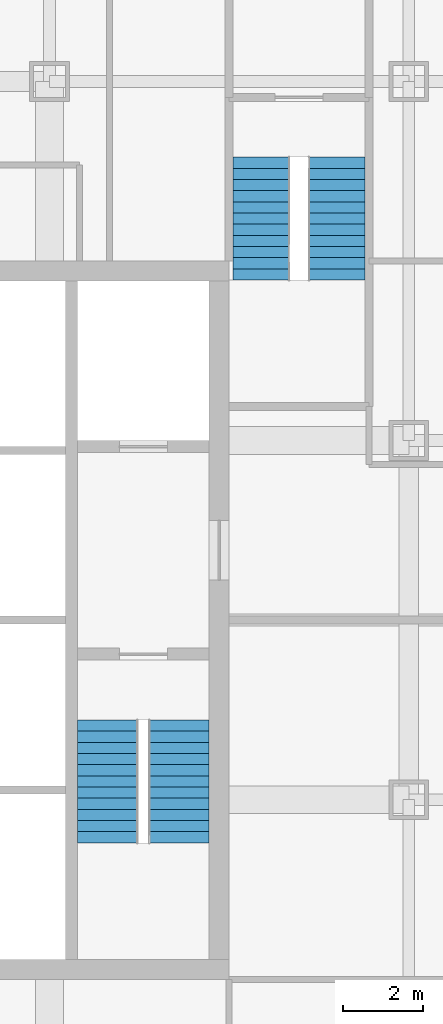
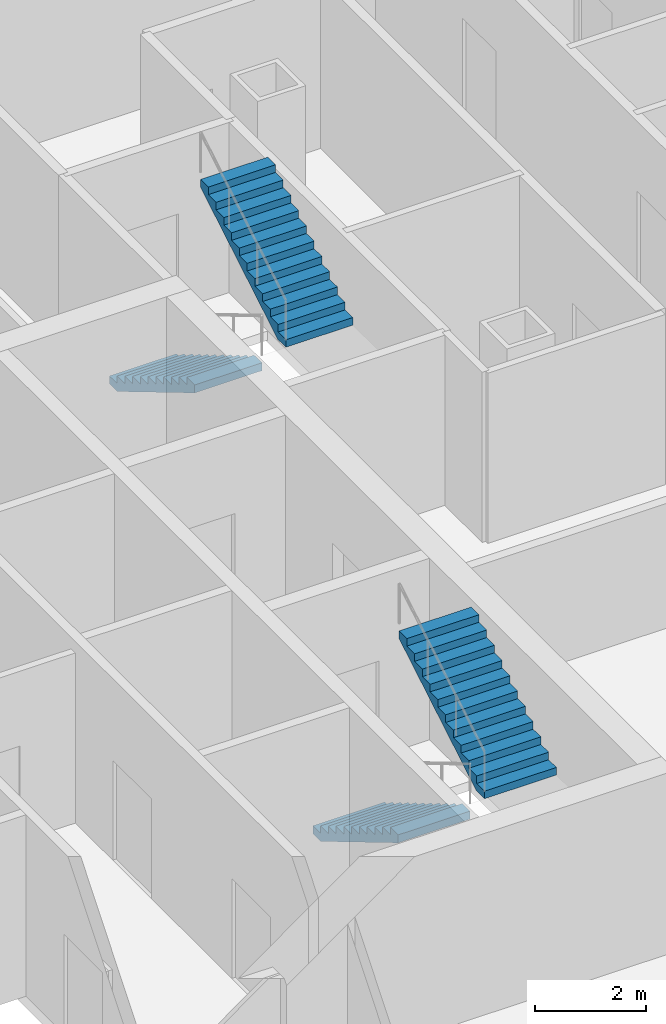
# One storey, part 12 of 17: 4 stair flights, 2 elements without a shape of their own.
"""IFC4 building model written with IfcOpenShell, lengths in metres."""

from ifc_helpers import new_model, si_unit, direction, frame, origin, place, context, subcontext, project, spatial, polyline, outline, extrude, material, type_object, element, aggregate, save


model = new_model("IFC4")

# Units and contexts
model_context = context("Model", 3, precision=1e-05, world=origin(), true_north=direction((0.0, 1.0)))
body_context = subcontext(model_context, "Body", "Model", "MODEL_VIEW")
ifc_project = project(units=[si_unit("LENGTHUNIT", "METRE"), si_unit("AREAUNIT", "SQUARE_METRE"), si_unit("VOLUMEUNIT", "CUBIC_METRE"), si_unit("PLANEANGLEUNIT", "RADIAN"), si_unit("MASSUNIT", "GRAM", prefix="KILO")], contexts=[model_context])

# Site, building, storey
site_placement = place(None, origin())
site = spatial("IfcSite", under=ifc_project, at=site_placement, CompositionType="ELEMENT")
building_placement = place(site_placement, origin())
building = spatial("IfcBuilding", under=site, at=building_placement, Name="Malebo Sky Hospital", CompositionType="ELEMENT")
storey_placement = place(building_placement, frame((0.0, 0.0, 55.0)))
storey = spatial("IfcBuildingStorey", under=building, at=storey_placement, Name="L12", CompositionType="ELEMENT", Elevation=55.0)

# Stair, stair flights
ifc_material = material(Name="Concrete C40/50", Category="concrete")
stair_type_1 = type_object("IfcStairType", Name="HALF-TURN STAIR 1400 R167", PredefinedType="HALF_TURN_STAIR", material=ifc_material)
stair_1_placement = place(storey_placement, origin())
stair_1 = element("IfcStair", 1, at=stair_1_placement, inside=storey, type_object=stair_type_1, Name="Stair S3 L12 type ST1B", PredefinedType="HALF_TURN_STAIR")
stair_flight_type_1 = type_object("IfcStairFlightType", Name="STAIR FLIGHT 1400 R167", PredefinedType="STRAIGHT", material=ifc_material)
stair_flight_1_placement = place(storey_placement, frame((69.800048828125, 73.60009765625, 0.0), z_axis=(0.0, 0.0, 1.0), x_axis=(0.0, -1.0, 0.0)))
stair_flight_1 = element("IfcStairFlight", 2, at=stair_flight_1_placement, type_object=stair_flight_type_1, Name="S3 flight 1 type SF1B", NumberOfRisers=12, NumberOfTreads=11, PredefinedType="STRAIGHT", RiserHeight=0.166666667, TreadLength=0.28, context=body_context, shape_type="SweptSolid", body=[
    extrude(outline(polyline([(0.0, 0.0), (0.0, 0.166748046875), (0.280029296875, 0.166748046875), (0.280029296875, 0.333251953125), (0.56005859375, 0.333251953125), (0.56005859375, 0.5), (0.840087890625, 0.5), (0.840087890625, 0.666748046875), (1.1201171875, 0.666748046875), (1.1201171875, 0.833251953125), (1.39990234375, 0.833251953125), (1.39990234375, 1.0), (1.679931640625, 1.0), (1.679931640625, 1.166748046875), (1.9599609375, 1.166748046875), (1.9599609375, 1.333251953125), (2.239990234375, 1.333251953125), (2.239990234375, 1.5), (2.52001953125, 1.5), (2.52001953125, 1.666748046875), (2.800048828125, 1.666748046875), (2.800048828125, 1.833251953125), (3.080078125, 1.833251953125), (3.080078125, 2.0), (3.080078125, 1.658935546875), (0.29296875, 0.0), (0.0, 0.0)])), frame((0.0, 0.699951171875, 0.0), z_axis=(0.0, -1.0, 0.0), x_axis=(1.0, 0.0, 0.0)), (0.0, 0.0, 1.0), 1.39990234375),
])
stair_flight_2_placement = place(storey_placement, frame((71.699951171875, 70.52001953125, 2.0), z_axis=(0.0, 0.0, 1.0), x_axis=(0.0, 1.0, 0.0)))
stair_flight_2 = element("IfcStairFlight", 3, at=stair_flight_2_placement, type_object=stair_flight_type_1, Name="S3 flight 2 type SF1B", NumberOfRisers=12, NumberOfTreads=11, PredefinedType="STRAIGHT", RiserHeight=0.166666667, TreadLength=0.28, context=body_context, shape_type="SweptSolid", body=[
    extrude(outline(polyline([(0.0, 0.0), (0.0, 0.166748046875), (0.280029296875, 0.166748046875), (0.280029296875, 0.333251953125), (0.56005859375, 0.333251953125), (0.56005859375, 0.5), (0.840087890625, 0.5), (0.840087890625, 0.666748046875), (1.1201171875, 0.666748046875), (1.1201171875, 0.833251953125), (1.39990234375, 0.833251953125), (1.39990234375, 1.0), (1.679931640625, 1.0), (1.679931640625, 1.166748046875), (1.9599609375, 1.166748046875), (1.9599609375, 1.333251953125), (2.239990234375, 1.333251953125), (2.239990234375, 1.5), (2.52001953125, 1.5), (2.52001953125, 1.666748046875), (2.800048828125, 1.666748046875), (2.800048828125, 1.833251953125), (3.080078125, 1.833251953125), (3.080078125, 2.0), (3.080078125, 1.658935546875), (0.29296875, 0.0), (0.0, 0.0)])), frame((0.0, 0.699951171875, 0.0), z_axis=(0.0, -1.0, 0.0), x_axis=(1.0, 0.0, 0.0)), (0.0, 0.0, 1.0), 1.39990234375),
])
aggregate(stair_1, [stair_flight_1, stair_flight_2])

stair_type_2 = type_object("IfcStairType", Name="HALF-TURN STAIR 1500 R167", PredefinedType="HALF_TURN_STAIR", material=ifc_material)
stair_2_placement = place(storey_placement, origin())
stair_2 = element("IfcStair", 4, at=stair_2_placement, inside=storey, type_object=stair_type_2, Name="Stair S2 L12 type ST1", PredefinedType="HALF_TURN_STAIR")
stair_flight_type_2 = type_object("IfcStairFlightType", Name="STAIR FLIGHT 1500 R167", PredefinedType="STRAIGHT", material=ifc_material)
stair_flight_3_placement = place(storey_placement, frame((65.949951171875, 59.5, 0.0), z_axis=(0.0, 0.0, 1.0), x_axis=(0.0, -1.0, 0.0)))
stair_flight_3 = element("IfcStairFlight", 5, at=stair_flight_3_placement, type_object=stair_flight_type_2, Name="S2 flight 1 type SF1", NumberOfRisers=12, NumberOfTreads=11, PredefinedType="STRAIGHT", RiserHeight=0.166666667, TreadLength=0.28, context=body_context, shape_type="SweptSolid", body=[
    extrude(outline(polyline([(0.0, 0.0), (0.0, 0.166748046875), (0.280029296875, 0.166748046875), (0.280029296875, 0.333251953125), (0.56005859375, 0.333251953125), (0.56005859375, 0.5), (0.840087890625, 0.5), (0.840087890625, 0.666748046875), (1.1201171875, 0.666748046875), (1.1201171875, 0.833251953125), (1.39990234375, 0.833251953125), (1.39990234375, 1.0), (1.679931640625, 1.0), (1.679931640625, 1.166748046875), (1.9599609375, 1.166748046875), (1.9599609375, 1.333251953125), (2.239990234375, 1.333251953125), (2.239990234375, 1.5), (2.52001953125, 1.5), (2.52001953125, 1.666748046875), (2.800048828125, 1.666748046875), (2.800048828125, 1.833251953125), (3.080078125, 1.833251953125), (3.080078125, 2.0), (3.080078125, 1.658935546875), (0.29296875, 0.0), (0.0, 0.0)])), frame((0.0, 0.75, 0.0), z_axis=(0.0, -1.0, 0.0), x_axis=(1.0, 0.0, 0.0)), (0.0, 0.0, 1.0), 1.5),
])
stair_flight_4_placement = place(storey_placement, frame((67.75, 56.419921875, 2.0), z_axis=(0.0, 0.0, 1.0), x_axis=(0.0, 1.0, 0.0)))
stair_flight_4 = element("IfcStairFlight", 6, at=stair_flight_4_placement, type_object=stair_flight_type_2, Name="S2 flight 2 type SF1", NumberOfRisers=12, NumberOfTreads=11, PredefinedType="STRAIGHT", RiserHeight=0.166666667, TreadLength=0.28, context=body_context, shape_type="SweptSolid", body=[
    extrude(outline(polyline([(0.0, 0.0), (0.0, 0.166748046875), (0.280029296875, 0.166748046875), (0.280029296875, 0.333251953125), (0.56005859375, 0.333251953125), (0.56005859375, 0.5), (0.840087890625, 0.5), (0.840087890625, 0.666748046875), (1.1201171875, 0.666748046875), (1.1201171875, 0.833251953125), (1.39990234375, 0.833251953125), (1.39990234375, 1.0), (1.679931640625, 1.0), (1.679931640625, 1.166748046875), (1.9599609375, 1.166748046875), (1.9599609375, 1.333251953125), (2.239990234375, 1.333251953125), (2.239990234375, 1.5), (2.52001953125, 1.5), (2.52001953125, 1.666748046875), (2.800048828125, 1.666748046875), (2.800048828125, 1.833251953125), (3.080078125, 1.833251953125), (3.080078125, 2.0), (3.080078125, 1.658935546875), (0.29296875, 0.0), (0.0, 0.0)])), frame((0.0, 0.75, 0.0), z_axis=(0.0, -1.0, 0.0), x_axis=(1.0, 0.0, 0.0)), (0.0, 0.0, 1.0), 1.5),
])
aggregate(stair_2, [stair_flight_3, stair_flight_4])

save(model, "model.ifc")
